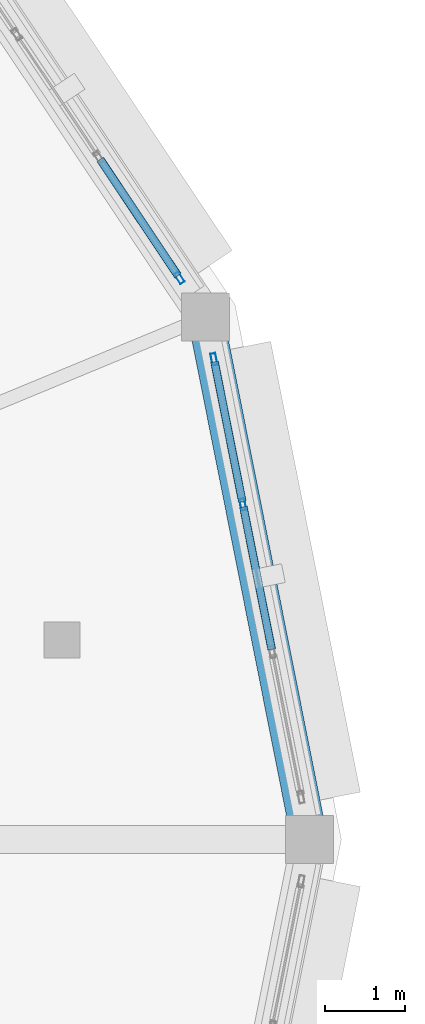
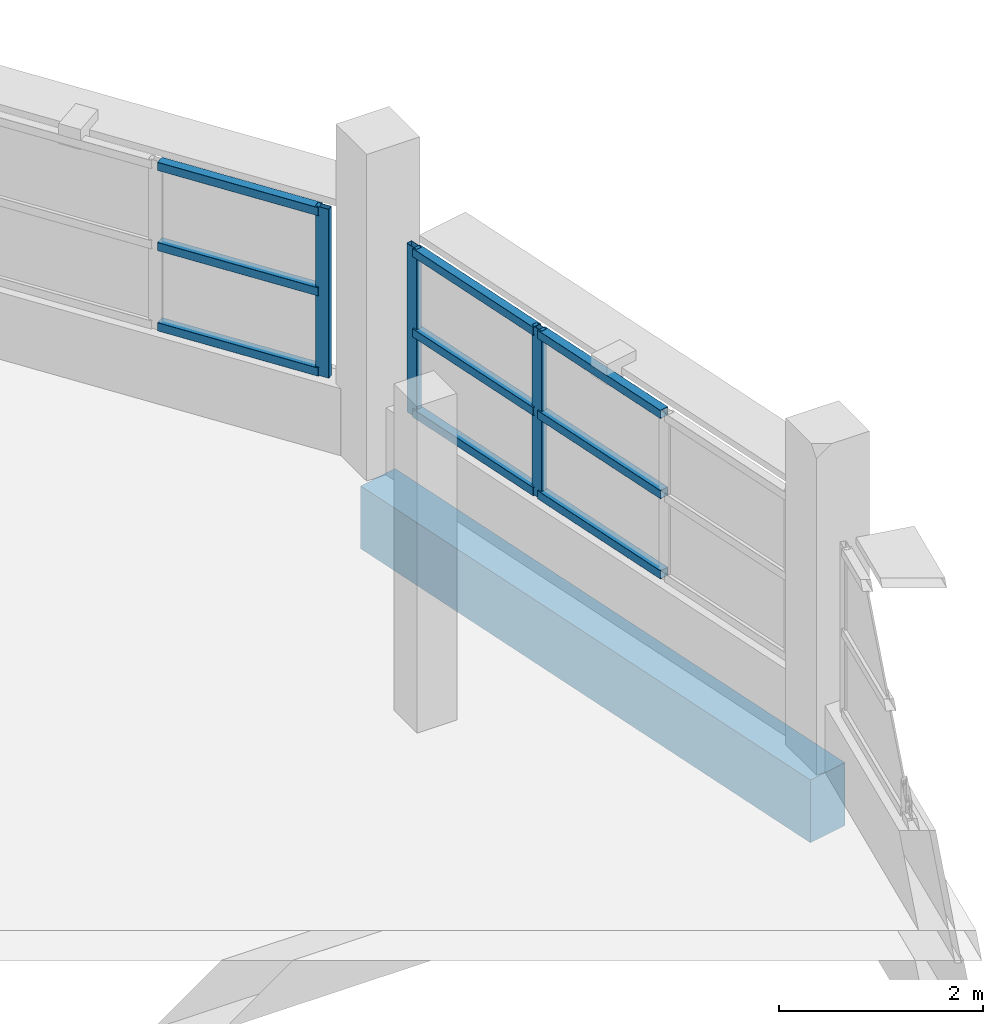
# One storey, part 76 of 121: 12 members, 1 beam, 2 elements without a shape of their own.
"""IFC4 building model written with IfcOpenShell, lengths in metres."""

from ifc_helpers import new_model, si_unit, direction, frame, origin, origin_2d, place, context, subcontext, project, spatial, rectangle, hollow_rectangle, extrude, material, layer, layer_set, material_profile, profile_set, type_object, element, aggregate, save


model = new_model("IFC4")

# Units and contexts
model_context = context("Model", 3, precision=1e-05, world=origin(), true_north=direction((0.0, 1.0)))
body_context = subcontext(model_context, "Body", "Model", "MODEL_VIEW")
ifc_project = project(units=[si_unit("LENGTHUNIT", "METRE"), si_unit("AREAUNIT", "SQUARE_METRE"), si_unit("VOLUMEUNIT", "CUBIC_METRE"), si_unit("PLANEANGLEUNIT", "RADIAN"), si_unit("MASSUNIT", "GRAM", prefix="KILO")], contexts=[model_context])

# Site, building, storey
site_placement = place(None, origin())
site = spatial("IfcSite", under=ifc_project, at=site_placement, CompositionType="ELEMENT")
building_placement = place(site_placement, origin())
building = spatial("IfcBuilding", under=site, at=building_placement, Name="Vespera Passage Community Centre", CompositionType="ELEMENT")
storey_placement = place(building_placement, frame((0.0, 0.0, 8.699951171875)))
storey = spatial("IfcBuildingStorey", under=building, at=storey_placement, Name="L02", CompositionType="ELEMENT", Elevation=8.699951171875)

# Beam
ifc_material_1 = material(Name="Concrete f'c 35 MPa", Category="concrete")
ifc_material_profile_1 = material_profile(ifc_material_1, rectangle(XDim=0.449951171875, YDim=0.75, at=origin_2d()), Name="RC450X750")
ifc_profile_set_1 = profile_set([ifc_material_profile_1], Name="Concrete f'c 35 MPa")
beam_type = type_object("IfcBeamType", Name="BM-SP-450X750E", PredefinedType="SPANDREL", material=ifc_profile_set_1)
beam_placement = place(storey_placement, frame((158.10009765625, 25.0, -0.614990234375), z_axis=(-0.195102743632, 0.980782809509, 0.0), x_axis=(-0.980782809509, -0.195102743632, 0.0)))
element("IfcBeam", 1, at=beam_placement, inside=storey, type_object=beam_type, Name="V3 L02 Spandrel 1", PredefinedType="SPANDREL", context=body_context, shape_type="SweptSolid", body=[
    extrude(rectangle(XDim=0.449951171875, YDim=0.75, at=origin_2d()), origin(), (0.0, 0.0, 1.0), 6.672119140625),
])

# Curtain wall, members
ifc_material_2 = material(Name="Anodized aluminium 6063-T6", Category="aluminium")
ifc_layer_1 = layer(ifc_material_2, 0.159912109375)
ifc_layer_set_1 = layer_set([ifc_layer_1], Name="Anodized aluminium 6063-T6")
curtain_wall_type_1 = type_object("IfcCurtainWallType", Name="CW-108E", PredefinedType="NOTDEFINED", material=ifc_layer_set_1)
curtain_wall_1_placement = place(storey_placement, origin())
curtain_wall_1 = element("IfcCurtainWall", 2, at=curtain_wall_1_placement, inside=storey, type_object=curtain_wall_type_1, Name="Dining Drum Ribbon Curtain Wall L02.1", PredefinedType="NOTDEFINED")
ifc_material_3 = material(Name="Anodized aluminium 6063-T6", Category="aluminium")
ifc_material_profile_2 = material_profile(ifc_material_3, hollow_rectangle(XDim=0.06494140625, YDim=0.14990234375, WallThickness=0.00390625, InnerFilletRadius=0.001953125, OuterFilletRadius=0.00390625, at=origin_2d()), Name="ALU150X65X4")
ifc_profile_set_2 = profile_set([ifc_material_profile_2], Name="Anodized aluminium 6063-T6")
member_type_1 = type_object("IfcMemberType", Name="MB-CWM-150E", PredefinedType="MULLION", material=ifc_profile_set_2)
member_1_placement = place(storey_placement, frame((156.9033203125, 31.015869140625, 0.800048828125), z_axis=(0.0, 0.0, 1.0), x_axis=(0.980783996069, 0.195096778691, 0.0)))
member_1 = element("IfcMember", 3, at=member_1_placement, type_object=member_type_1, Name="CW-108E mullion 1", PredefinedType="MULLION", context=body_context, shape_type="SweptSolid", body=[
    extrude(hollow_rectangle(XDim=0.06494140625, YDim=0.14990234375, WallThickness=0.00390625, InnerFilletRadius=0.001953125, OuterFilletRadius=0.00390625, at=origin_2d()), origin(), (0.0, 0.0, 1.0), 2.014892578125),
])
member_2_placement = place(storey_placement, frame((157.26513671875, 29.197265625, 0.800048828125), z_axis=(0.0, 0.0, 1.0), x_axis=(0.980783996069, 0.195096778691, 0.0)))
member_2 = element("IfcMember", 4, at=member_2_placement, type_object=member_type_1, Name="CW-108E mullion 2", PredefinedType="MULLION", context=body_context, shape_type="SweptSolid", body=[
    extrude(hollow_rectangle(XDim=0.06494140625, YDim=0.14990234375, WallThickness=0.00390625, InnerFilletRadius=0.001953125, OuterFilletRadius=0.00390625, at=origin_2d()), origin(), (0.0, 0.0, 1.0), 2.014892578125),
])

# Curtain wall, member
ifc_material_4 = material(Name="Anodized aluminium 6063-T6", Category="aluminium")
ifc_layer_2 = layer(ifc_material_4, 0.159912109375)
ifc_layer_set_2 = layer_set([ifc_layer_2], Name="Anodized aluminium 6063-T6")
curtain_wall_type_2 = type_object("IfcCurtainWallType", Name="CW-109E", PredefinedType="NOTDEFINED", material=ifc_layer_set_2)
curtain_wall_2_placement = place(storey_placement, origin())
curtain_wall_2 = element("IfcCurtainWall", 5, at=curtain_wall_2_placement, inside=storey, type_object=curtain_wall_type_2, Name="Dining Drum Ribbon Curtain Wall L02.2", PredefinedType="NOTDEFINED")
member_3_placement = place(storey_placement, frame((156.46875, 32.037109375, 0.800048828125), z_axis=(0.0, 0.0, 1.0), x_axis=(0.831473308708, 0.555564700918, 0.0)))
member_3 = element("IfcMember", 6, at=member_3_placement, type_object=member_type_1, Name="CW-109E mullion 4", PredefinedType="MULLION", context=body_context, shape_type="SweptSolid", body=[
    extrude(hollow_rectangle(XDim=0.06494140625, YDim=0.14990234375, WallThickness=0.00390625, InnerFilletRadius=0.001953125, OuterFilletRadius=0.00390625, at=origin_2d()), origin(), (0.0, 0.0, 1.0), 2.014892578125),
])

# Member
ifc_material_5 = material(Name="Anodized aluminium 6063-T6", Category="aluminium")
ifc_material_profile_3 = material_profile(ifc_material_5, hollow_rectangle(XDim=0.10009765625, YDim=0.10009765625, WallThickness=0.00390625, InnerFilletRadius=0.001953125, OuterFilletRadius=0.00390625, at=origin_2d()), Name="ALU100X100X4")
ifc_profile_set_3 = profile_set([ifc_material_profile_3], Name="Anodized aluminium 6063-T6")
member_type_2 = type_object("IfcMemberType", Name="MB-CWT-100E", PredefinedType="USERDEFINED", material=ifc_profile_set_3)
member_4_placement = place(storey_placement, frame((156.90966796875, 30.98388671875, 0.85009765625), z_axis=(0.195118922523, -0.980779590975, 0.0), x_axis=(0.980779590975, 0.195118922523, 0.0)))
member_4 = element("IfcMember", 7, at=member_4_placement, type_object=member_type_2, Name="CW-108E transom 1.1", ObjectType="TRANSOM", PredefinedType="USERDEFINED", context=body_context, shape_type="SweptSolid", body=[
    extrude(hollow_rectangle(XDim=0.10009765625, YDim=0.10009765625, WallThickness=0.00390625, InnerFilletRadius=0.001953125, OuterFilletRadius=0.00390625, at=origin_2d()), origin(), (0.0, 0.0, 1.0), 1.789306640625),
])

member_5_placement = place(storey_placement, frame((156.90966796875, 30.98388671875, 1.8076171875), z_axis=(0.195118922523, -0.980779590975, 0.0), x_axis=(0.980779590975, 0.195118922523, 0.0)))
member_5 = element("IfcMember", 8, at=member_5_placement, type_object=member_type_2, Name="CW-108E transom 1.2", ObjectType="TRANSOM", PredefinedType="USERDEFINED", context=body_context, shape_type="SweptSolid", body=[
    extrude(hollow_rectangle(XDim=0.10009765625, YDim=0.10009765625, WallThickness=0.00390625, InnerFilletRadius=0.001953125, OuterFilletRadius=0.00390625, at=origin_2d()), origin(), (0.0, 0.0, 1.0), 1.789306640625),
])

member_6_placement = place(storey_placement, frame((156.90966796875, 30.98388671875, 2.76513671875), z_axis=(0.195118922523, -0.980779590975, 0.0), x_axis=(0.980779590975, 0.195118922523, 0.0)))
member_6 = element("IfcMember", 9, at=member_6_placement, type_object=member_type_2, Name="CW-108E transom 1.3", ObjectType="TRANSOM", PredefinedType="USERDEFINED", context=body_context, shape_type="SweptSolid", body=[
    extrude(hollow_rectangle(XDim=0.10009765625, YDim=0.10009765625, WallThickness=0.00390625, InnerFilletRadius=0.001953125, OuterFilletRadius=0.00390625, at=origin_2d()), origin(), (0.0, 0.0, 1.0), 1.789306640625),
])

member_7_placement = place(storey_placement, frame((157.271484375, 29.165283203125, 0.85009765625), z_axis=(0.195136642714, -0.980776065507, 0.0), x_axis=(0.980776065507, 0.195136642714, 0.0)))
member_7 = element("IfcMember", 10, at=member_7_placement, type_object=member_type_2, Name="CW-108E transom 2.1", ObjectType="TRANSOM", PredefinedType="USERDEFINED", context=body_context, shape_type="SweptSolid", body=[
    extrude(hollow_rectangle(XDim=0.10009765625, YDim=0.10009765625, WallThickness=0.00390625, InnerFilletRadius=0.001953125, OuterFilletRadius=0.00390625, at=origin_2d()), origin(), (0.0, 0.0, 1.0), 1.821533203125),
])

member_8_placement = place(storey_placement, frame((157.271484375, 29.165283203125, 1.8076171875), z_axis=(0.195136642714, -0.980776065507, 0.0), x_axis=(0.980776065507, 0.195136642714, 0.0)))
member_8 = element("IfcMember", 11, at=member_8_placement, type_object=member_type_2, Name="CW-108E transom 2.2", ObjectType="TRANSOM", PredefinedType="USERDEFINED", context=body_context, shape_type="SweptSolid", body=[
    extrude(hollow_rectangle(XDim=0.10009765625, YDim=0.10009765625, WallThickness=0.00390625, InnerFilletRadius=0.001953125, OuterFilletRadius=0.00390625, at=origin_2d()), origin(), (0.0, 0.0, 1.0), 1.821533203125),
])

member_9_placement = place(storey_placement, frame((157.271484375, 29.165283203125, 2.76513671875), z_axis=(0.195136642714, -0.980776065507, 0.0), x_axis=(0.980776065507, 0.195136642714, 0.0)))
member_9 = element("IfcMember", 12, at=member_9_placement, type_object=member_type_2, Name="CW-108E transom 2.3", ObjectType="TRANSOM", PredefinedType="USERDEFINED", context=body_context, shape_type="SweptSolid", body=[
    extrude(hollow_rectangle(XDim=0.10009765625, YDim=0.10009765625, WallThickness=0.00390625, InnerFilletRadius=0.001953125, OuterFilletRadius=0.00390625, at=origin_2d()), origin(), (0.0, 0.0, 1.0), 1.821533203125),
])

aggregate(curtain_wall_1, [member_1, member_2, member_4, member_5, member_6, member_7, member_8, member_9])

member_10_placement = place(storey_placement, frame((155.476806640625, 33.521484375, 0.85009765625), z_axis=(0.555632026719, -0.831428319751, 0.0), x_axis=(0.831428319751, 0.555632026719, 0.0)))
member_10 = element("IfcMember", 13, at=member_10_placement, type_object=member_type_2, Name="CW-109E transom 3.1", ObjectType="TRANSOM", PredefinedType="USERDEFINED", context=body_context, shape_type="SweptSolid", body=[
    extrude(hollow_rectangle(XDim=0.10009765625, YDim=0.10009765625, WallThickness=0.00390625, InnerFilletRadius=0.001953125, OuterFilletRadius=0.00390625, at=origin_2d()), origin(), (0.0, 0.0, 1.0), 1.752685546875),
])

member_11_placement = place(storey_placement, frame((155.476806640625, 33.521484375, 1.8076171875), z_axis=(0.555632026719, -0.831428319751, 0.0), x_axis=(0.831428319751, 0.555632026719, 0.0)))
member_11 = element("IfcMember", 14, at=member_11_placement, type_object=member_type_2, Name="CW-109E transom 3.2", ObjectType="TRANSOM", PredefinedType="USERDEFINED", context=body_context, shape_type="SweptSolid", body=[
    extrude(hollow_rectangle(XDim=0.10009765625, YDim=0.10009765625, WallThickness=0.00390625, InnerFilletRadius=0.001953125, OuterFilletRadius=0.00390625, at=origin_2d()), origin(), (0.0, 0.0, 1.0), 1.752685546875),
])

member_12_placement = place(storey_placement, frame((155.476806640625, 33.521484375, 2.76513671875), z_axis=(0.555632026719, -0.831428319751, 0.0), x_axis=(0.831428319751, 0.555632026719, 0.0)))
member_12 = element("IfcMember", 15, at=member_12_placement, type_object=member_type_2, Name="CW-109E transom 3.3", ObjectType="TRANSOM", PredefinedType="USERDEFINED", context=body_context, shape_type="SweptSolid", body=[
    extrude(hollow_rectangle(XDim=0.10009765625, YDim=0.10009765625, WallThickness=0.00390625, InnerFilletRadius=0.001953125, OuterFilletRadius=0.00390625, at=origin_2d()), origin(), (0.0, 0.0, 1.0), 1.752685546875),
])

aggregate(curtain_wall_2, [member_3, member_10, member_11, member_12])

save(model, "model.ifc")
